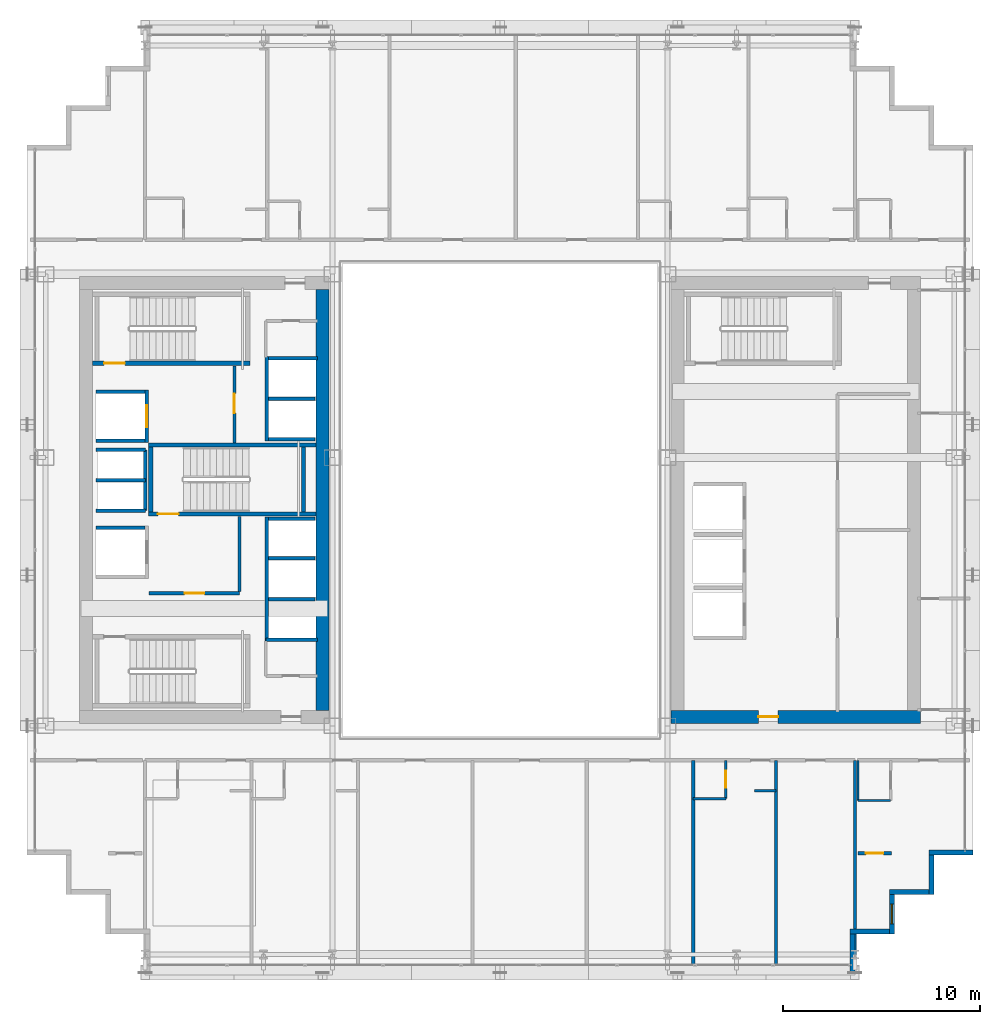
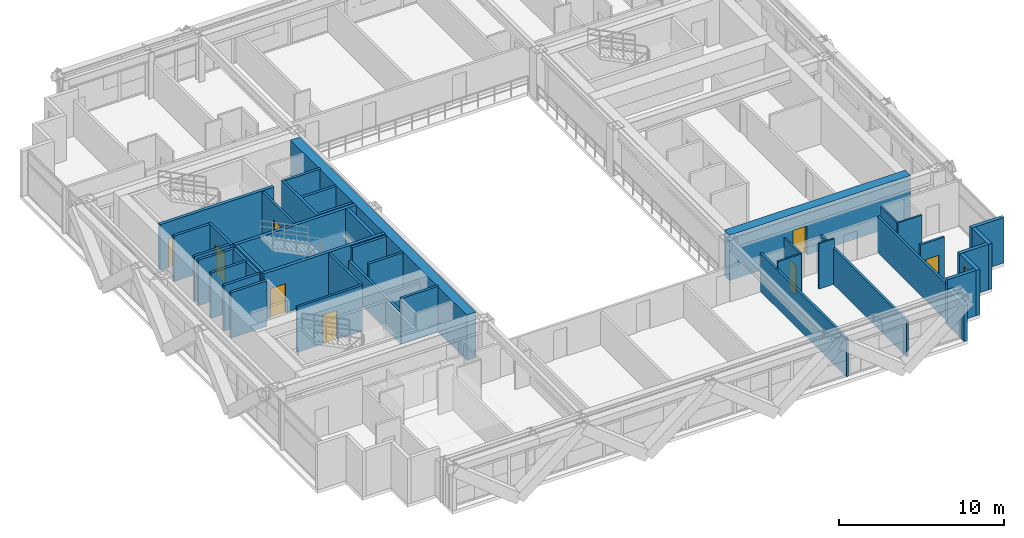
# One storey, part 28 of 35: 42 walls, 8 doors, 1 window, 9 openings.
"""IFC4 building model written with IfcOpenShell, lengths in metres."""

from ifc_helpers import new_model, si_unit, direction, frame, frame_2d, origin, place, context, subcontext, project, spatial, rectangle, extrude, source, transform, mapped, material, layer, layer_set, type_object, element, fill, save


model = new_model("IFC4")

# Units and contexts
model_context = context("Model", 3, precision=1e-05, world=origin(), true_north=direction((0.0, 1.0)))
body_context = subcontext(model_context, "Body", "Model", "MODEL_VIEW")
ifc_project = project(units=[si_unit("LENGTHUNIT", "METRE"), si_unit("AREAUNIT", "SQUARE_METRE"), si_unit("VOLUMEUNIT", "CUBIC_METRE"), si_unit("PLANEANGLEUNIT", "RADIAN"), si_unit("MASSUNIT", "GRAM", prefix="KILO")], contexts=[model_context])

# Site, building, storey
site_placement = place(None, origin())
site = spatial("IfcSite", under=ifc_project, at=site_placement, CompositionType="ELEMENT")
building_placement = place(site_placement, origin())
building = spatial("IfcBuilding", under=site, at=building_placement, Name="Ocotamira Hotel", CompositionType="ELEMENT")
storey_placement = place(building_placement, frame((0.0, 0.0, 122.39990234375)))
storey = spatial("IfcBuildingStorey", under=building, at=storey_placement, Name="L30", CompositionType="ELEMENT", Elevation=122.39990234375)

# Wall
ifc_material_1 = material(Name="Concrete C60/75", Category="concrete")
ifc_layer_1 = layer(ifc_material_1, 0.64990234375)
ifc_layer_set_1 = layer_set([ifc_layer_1], Name="Concrete C60/75")
wall_type_1 = type_object("IfcWallType", Name="WL-CORE-650", PredefinedType="SHEAR", material=ifc_layer_set_1)
wall_1_placement = place(storey_placement, frame((23.0, 15.324951171875, 0.0), z_axis=(0.0, 0.0, 1.0), x_axis=(0.0, 1.0, 0.0)))
element("IfcWall", 1, at=wall_1_placement, inside=storey, type_object=wall_type_1, Name="L30 Shear Core Wall WCORE-E", PredefinedType="SHEAR", context=body_context, shape_type="SweptSolid", body=[
    extrude(rectangle(XDim=21.35009765625, YDim=0.64990234375, at=frame_2d((10.675048828125, 0.0))), origin(), (0.0, 0.0, 1.0), 3.360107421875),
])

# Wall, opening, door
wall_2_placement = place(storey_placement, frame((40.675048828125, 15.0, 0.0), z_axis=(0.0, 0.0, 1.0), x_axis=(1.0, 0.0, 0.0)))
wall_2 = element("IfcWall", 2, at=wall_2_placement, inside=storey, type_object=wall_type_1, Name="L30 Shear Core Wall ECORE-S", PredefinedType="SHEAR", context=body_context, shape_type="SweptSolid", body=[
    extrude(rectangle(XDim=12.64990234375, YDim=0.64990234375, at=frame_2d((6.324951171875, 0.0))), origin(), (0.0, 0.0, 1.0), 3.360107421875),
])
opening_1_placement = place(wall_2_placement, frame((4.425048828125, 0.0, 0.0)))
opening_1 = element("IfcOpeningElement", 3, at=opening_1_placement, cuts=wall_2, Name="Opening D-FR2", PredefinedType="OPENING", context=body_context, shape_type="SweptSolid", body=[
    extrude(rectangle(XDim=1.0, YDim=2.14990234375, at=frame_2d((0.5, 1.074951171875))), frame((0.0, 0.3349609375, 0.0), z_axis=(0.0, -1.0, 0.0), x_axis=(1.0, 0.0, 0.0)), (0.0, 0.0, 1.0), 0.669921875),
])
ifc_material_2 = material(Name="Fire-rated acoustic timber-veneer door", Category="wood")
door_type_1 = type_object("IfcDoorType", Name="DR-FIRE-1000", OperationType="NOTDEFINED", PredefinedType="DOOR", material=ifc_material_2)
shared_shape_1 = source(origin(), body_context, "Body", "SweptSolid", [
    extrude(rectangle(XDim=1.0, YDim=2.14990234375, at=frame_2d((0.5, 1.074951171875))), frame((0.0, 0.02490234375, 0.0), z_axis=(0.0, -1.0, 0.0), x_axis=(1.0, 0.0, 0.0)), (0.0, 0.0, 1.0), 0.050048828125),
])
door_1_placement = place(opening_1_placement, origin())
door_1 = element("IfcDoor", 4, at=door_1_placement, inside=storey, type_object=door_type_1, Name="L30 Door ID-L30-ELOB-S-D [ID-L30-ELOB-S-D]", OperationType="SINGLE_SWING_RIGHT", OverallHeight=2.14990234375, OverallWidth=1.0, PredefinedType="DOOR", context=body_context, shape_type="MappedRepresentation", body=[
    mapped(shared_shape_1, transform((0.0, 0.0, 0.0), scale=1.0)),
])
fill(opening_1, door_1)

# Walls
ifc_material_3 = material(Name="Precast concrete C45/55", Category="concrete")
ifc_layer_2 = layer(ifc_material_3, 0.25)
ifc_layer_set_2 = layer_set([ifc_layer_2], Name="Precast concrete C45/55")
wall_type_2 = type_object("IfcWallType", Name="WL-EXT-SER-250", PredefinedType="SOLIDWALL", material=ifc_layer_set_2)
wall_3_placement = place(storey_placement, frame((49.875, 2.0, 0.0), z_axis=(0.0, 0.0, 1.0), x_axis=(0.0, 1.0, 0.0)))
element("IfcWall", 5, at=wall_3_placement, inside=storey, type_object=wall_type_2, Name="L30 Serrated Corner Wall 01", PredefinedType="SOLIDWALL", context=body_context, shape_type="SweptSolid", body=[
    extrude(rectangle(XDim=2.0, YDim=0.25, at=frame_2d((1.0, 0.0))), origin(), (0.0, 0.0, 1.0), 2.6669921875),
])
wall_4_placement = place(storey_placement, frame((49.75, 4.125, 0.0), z_axis=(0.0, 0.0, 1.0), x_axis=(1.0, 0.0, 0.0)))
element("IfcWall", 6, at=wall_4_placement, inside=storey, type_object=wall_type_2, Name="L30 Serrated Corner Wall 02", PredefinedType="SOLIDWALL", context=body_context, shape_type="SweptSolid", body=[
    extrude(rectangle(XDim=2.0, YDim=0.25, at=frame_2d((1.0, 0.0))), origin(), (0.0, 0.0, 1.0), 3.360107421875),
])

# Wall, opening, window
wall_5_placement = place(storey_placement, frame((51.875, 4.0, 0.0), z_axis=(0.0, 0.0, 1.0), x_axis=(0.0, 1.0, 0.0)))
wall_5 = element("IfcWall", 7, at=wall_5_placement, inside=storey, type_object=wall_type_2, Name="L30 Serrated Corner Wall 03", PredefinedType="SOLIDWALL", context=body_context, shape_type="SweptSolid", body=[
    extrude(rectangle(XDim=2.0, YDim=0.25, at=frame_2d((1.0, 0.0))), origin(), (0.0, 0.0, 1.0), 3.360107421875),
])
opening_2_placement = place(wall_5_placement, frame((0.5, 0.0, 0.85009765625)))
opening_2 = element("IfcOpeningElement", 8, at=opening_2_placement, cuts=wall_5, Name="Opening WN-2", PredefinedType="OPENING", context=body_context, shape_type="SweptSolid", body=[
    extrude(rectangle(XDim=1.0, YDim=1.89990234375, at=frame_2d((0.5, 0.949951171875))), frame((0.0, 0.135009765625, 0.0), z_axis=(0.0, -1.0, 0.0), x_axis=(1.0, 0.0, 0.0)), (0.0, 0.0, 1.0), 0.27001953125),
])
ifc_material_4 = material(Name="Double-silver low-E solar glass", Category="glass")
window_type = type_object("IfcWindowType", Name="WIN-SER-1100", PartitioningType="SINGLE_PANEL", PredefinedType="WINDOW", material=ifc_material_4)
shared_shape_2 = source(origin(), body_context, "Body", "SweptSolid", [
    extrude(rectangle(XDim=1.0, YDim=1.89990234375, at=frame_2d((0.5, 0.949951171875))), frame((0.0, 0.030029296875, 0.0), z_axis=(0.0, -1.0, 0.0), x_axis=(1.0, 0.0, 0.0)), (0.0, 0.0, 1.0), 0.06005859375),
])
window_placement = place(opening_2_placement, origin())
window = element("IfcWindow", 9, at=window_placement, inside=storey, type_object=window_type, Name="L30 Serrated Corner Window 03", OverallHeight=1.89990234375, OverallWidth=1.0, PartitioningType="SINGLE_PANEL", PredefinedType="WINDOW", context=body_context, shape_type="MappedRepresentation", body=[
    mapped(shared_shape_2, transform((0.0, 0.0, 0.0), scale=1.0)),
])
fill(opening_2, window)

# Walls
for number, where, z_axis, x_axis, name in (
    (10, (51.75, 6.125, 0.0), (0.0, 0.0, 1.0), (1.0, 0.0, 0.0), "L30 Serrated Corner Wall 04"),
    (11, (53.875, 6.0, 0.0), (0.0, 0.0, 1.0), (0.0, 1.0, 0.0), "L30 Serrated Corner Wall 05"),
):
    element("IfcWall", number, at=place(storey_placement, frame(where, z_axis=z_axis, x_axis=x_axis)), inside=storey, type_object=wall_type_2, Name=name, PredefinedType="SOLIDWALL", context=body_context, shape_type="SweptSolid", body=[
        extrude(rectangle(XDim=2.0, YDim=0.25, at=frame_2d((1.0, 0.0))), origin(), (0.0, 0.0, 1.0), 3.360107421875),
    ])
wall_6_placement = place(storey_placement, frame((53.75, 8.125, 0.0), z_axis=(0.0, 0.0, 1.0), x_axis=(1.0, 0.0, 0.0)))
element("IfcWall", 12, at=wall_6_placement, inside=storey, type_object=wall_type_2, Name="L30 Serrated Corner Wall 06", PredefinedType="SOLIDWALL", context=body_context, shape_type="SweptSolid", body=[
    extrude(rectangle(XDim=2.25, YDim=0.25, at=frame_2d((1.125, 0.0))), origin(), (0.0, 0.0, 1.0), 3.360107421875),
])

# Wall, opening, door
ifc_material_5 = material(Name="Acoustic double-layer fire gypsum board partition", Category="gypsum")
ifc_layer_3 = layer(ifc_material_5, 0.159912109375)
ifc_layer_set_3 = layer_set([ifc_layer_3], Name="Acoustic double-layer fire gypsum board partition")
wall_type_3 = type_object("IfcWallType", Name="WL-FIRE-160", PredefinedType="PARTITIONING", material=ifc_layer_set_3)
wall_7_placement = place(storey_placement, frame((14.199951171875, 21.27001953125, 0.0), z_axis=(0.0, 0.0, 1.0), x_axis=(1.0, 0.0, 0.0)))
wall_7 = element("IfcWall", 13, at=wall_7_placement, inside=storey, type_object=wall_type_3, Name="L30 Interior Wall PW-L30-FSAE1-S", PredefinedType="PARTITIONING", context=body_context, shape_type="SweptSolid", body=[
    extrude(rectangle(XDim=4.580078125, YDim=0.159912109375, at=frame_2d((2.2900390625, 0.0))), origin(), (0.0, 0.0, 1.0), 3.360107421875),
])
opening_3_placement = place(wall_7_placement, frame((1.800048828125, 0.0, 0.0)))
opening_3 = element("IfcOpeningElement", 14, at=opening_3_placement, cuts=wall_7, Name="Opening D-FR2", PredefinedType="OPENING", context=body_context, shape_type="SweptSolid", body=[
    extrude(rectangle(XDim=1.0, YDim=2.14990234375, at=frame_2d((0.5, 1.074951171875))), frame((0.0, 0.08984375, 0.0), z_axis=(0.0, -1.0, 0.0), x_axis=(1.0, 0.0, 0.0)), (0.0, 0.0, 1.0), 0.179931640625),
])
door_2_placement = place(opening_3_placement, origin())
door_2 = element("IfcDoor", 15, at=door_2_placement, inside=storey, type_object=door_type_1, Name="L30 Door ID-L30-FSAE1-D [ID-L30-FSAE1-D]", OperationType="SINGLE_SWING_LEFT", OverallHeight=2.14990234375, OverallWidth=1.0, PredefinedType="DOOR", context=body_context, shape_type="MappedRepresentation", body=[
    mapped(shared_shape_1, transform((0.0, 0.0, 0.0), scale=1.0)),
])
fill(opening_3, door_2)

# Wall
wall_8_placement = place(storey_placement, frame((18.780029296875, 21.35009765625, 0.0), z_axis=(0.0, 0.0, 1.0), x_axis=(0.0, 1.0, 0.0)))
element("IfcWall", 16, at=wall_8_placement, inside=storey, type_object=wall_type_3, Name="L30 Interior Wall PW-L30-FSAE1-E", PredefinedType="PARTITIONING", context=body_context, shape_type="SweptSolid", body=[
    extrude(rectangle(XDim=3.809814453125, YDim=0.159912109375, at=frame_2d((1.90478515625, 0.0))), origin(), (0.0, 0.0, 1.0), 3.360107421875),
])

# Wall, opening, door
wall_9_placement = place(storey_placement, frame((18.530029296875, 28.89990234375, 0.0), z_axis=(0.0, 0.0, 1.0), x_axis=(0.0, 1.0, 0.0)))
wall_9 = element("IfcWall", 17, at=wall_9_placement, inside=storey, type_object=wall_type_3, Name="L30 Interior Wall PW-L30-FSAE2-E", PredefinedType="PARTITIONING", context=body_context, shape_type="SweptSolid", body=[
    extrude(rectangle(XDim=3.900146484375, YDim=0.159912109375, at=frame_2d((1.9501953125, 0.0))), origin(), (0.0, 0.0, 1.0), 3.360107421875),
])
opening_4_placement = place(wall_9_placement, frame((1.5, 0.0, 0.0)))
opening_4 = element("IfcOpeningElement", 18, at=opening_4_placement, cuts=wall_9, Name="Opening D-FR2", PredefinedType="OPENING", context=body_context, shape_type="SweptSolid", body=[
    extrude(rectangle(XDim=1.0, YDim=2.14990234375, at=frame_2d((0.5, 1.074951171875))), frame((0.0, 0.08984375, 0.0), z_axis=(0.0, -1.0, 0.0), x_axis=(1.0, 0.0, 0.0)), (0.0, 0.0, 1.0), 0.179931640625),
])
door_3_placement = place(opening_4_placement, origin())
door_3 = element("IfcDoor", 19, at=door_3_placement, inside=storey, type_object=door_type_1, Name="L30 Door ID-L30-FSAE2-D [ID-L30-FSAE2-D]", OperationType="SINGLE_SWING_RIGHT", OverallHeight=2.14990234375, OverallWidth=1.0, PredefinedType="DOOR", context=body_context, shape_type="MappedRepresentation", body=[
    mapped(shared_shape_1, transform((0.0, 0.0, 0.0), scale=1.0)),
])
fill(opening_4, door_3)

wall_10_placement = place(storey_placement, frame((50.14990234375, 8.080078125, 0.0), z_axis=(0.0, 0.0, 1.0), x_axis=(1.0, 0.0, 0.0)))
wall_10 = element("IfcWall", 20, at=wall_10_placement, inside=storey, type_object=wall_type_3, Name="L30 Interior Wall PW-L30-Z2C-CSE2-CW", PredefinedType="PARTITIONING", context=body_context, shape_type="SweptSolid", body=[
    extrude(rectangle(XDim=1.7001953125, YDim=0.159912109375, at=frame_2d((0.85009765625, 0.0))), origin(), (0.0, 0.0, 1.0), 3.360107421875),
])
opening_5_placement = place(wall_10_placement, frame((0.409912109375, 0.0, 0.0)))
opening_5 = element("IfcOpeningElement", 21, at=opening_5_placement, cuts=wall_10, Name="Opening D-SV2", PredefinedType="OPENING", context=body_context, shape_type="SweptSolid", body=[
    extrude(rectangle(XDim=0.8798828125, YDim=2.14990234375, at=frame_2d((0.43994140625, 1.074951171875))), frame((0.0, 0.08984375, 0.0), z_axis=(0.0, -1.0, 0.0), x_axis=(1.0, 0.0, 0.0)), (0.0, 0.0, 1.0), 0.179931640625),
])
ifc_material_6 = material(Name="Fire-rated painted steel service door", Category="steel")
door_type_2 = type_object("IfcDoorType", Name="DR-SERV-880", OperationType="NOTDEFINED", PredefinedType="DOOR", material=ifc_material_6)
shared_shape_3 = source(origin(), body_context, "Body", "SweptSolid", [
    extrude(rectangle(XDim=0.8798828125, YDim=2.14990234375, at=frame_2d((0.43994140625, 1.074951171875))), frame((0.0, 0.02490234375, 0.0), z_axis=(0.0, -1.0, 0.0), x_axis=(1.0, 0.0, 0.0)), (0.0, 0.0, 1.0), 0.050048828125),
])
door_4_placement = place(opening_5_placement, origin())
door_4 = element("IfcDoor", 22, at=door_4_placement, inside=storey, type_object=door_type_2, Name="L30 Door ID-L30-Z2C-CSE2-CD [ID-L30-Z2C-CSE2-CD]", OperationType="SINGLE_SWING_LEFT", OverallHeight=2.14990234375, OverallWidth=0.8798828125, PredefinedType="DOOR", context=body_context, shape_type="MappedRepresentation", body=[
    mapped(shared_shape_3, transform((0.0, 0.0, 0.0), scale=1.0)),
])
fill(opening_5, door_4)

# Walls
ifc_material_7 = material(Name="Moisture-resistant en-suite tile and gypsum partition", Category="gypsum")
ifc_layer_4 = layer(ifc_material_7, 0.1201171875)
ifc_layer_set_4 = layer_set([ifc_layer_4], Name="Moisture-resistant en-suite tile and gypsum partition")
wall_type_4 = type_object("IfcWallType", Name="WL-PART-120", PredefinedType="PARTITIONING", material=ifc_layer_set_4)
wall_11_placement = place(storey_placement, frame((50.159912109375, 10.760009765625, 0.0), z_axis=(0.0, 0.0, 1.0), x_axis=(0.0, 1.0, 0.0)))
element("IfcWall", 23, at=wall_11_placement, inside=storey, type_object=wall_type_4, Name="L30 Interior Wall PW-L30-Z2C-CSE-BW", PredefinedType="PARTITIONING", context=body_context, shape_type="SweptSolid", body=[
    extrude(rectangle(XDim=2.0400390625, YDim=0.1201171875, at=frame_2d((1.02001953125, 0.0))), origin(), (0.0, 0.0, 1.0), 3.360107421875),
])
wall_12_placement = place(storey_placement, frame((50.159912109375, 10.760009765625, 0.0), z_axis=(0.0, 0.0, 1.0), x_axis=(1.0, 0.0, 0.0)))
element("IfcWall", 24, at=wall_12_placement, inside=storey, type_object=wall_type_4, Name="L30 Interior Wall PW-L30-Z2C-CSE-BH", PredefinedType="PARTITIONING", context=body_context, shape_type="SweptSolid", body=[
    extrude(rectangle(XDim=1.650146484375, YDim=0.1201171875, at=frame_2d((0.8251953125, 0.0))), origin(), (0.0, 0.0, 1.0), 3.360107421875),
])

# Wall, opening, door
wall_13_placement = place(storey_placement, frame((43.449951171875, 10.85009765625, 0.0), z_axis=(0.0, 0.0, 1.0), x_axis=(0.0, 1.0, 0.0)))
wall_13 = element("IfcWall", 25, at=wall_13_placement, inside=storey, type_object=wall_type_4, Name="L30 Interior Wall PW-L30-Z2CS-BAE6", PredefinedType="PARTITIONING", context=body_context, shape_type="SweptSolid", body=[
    extrude(rectangle(XDim=1.949951171875, YDim=0.1201171875, at=frame_2d((0.97509765625, 0.0))), origin(), (0.0, 0.0, 1.0), 3.360107421875),
])
opening_6_placement = place(wall_13_placement, frame((0.544921875, 0.0, 0.0)))
opening_6 = element("IfcOpeningElement", 26, at=opening_6_placement, cuts=wall_13, Name="Opening D-BA1", PredefinedType="OPENING", context=body_context, shape_type="SweptSolid", body=[
    extrude(rectangle(XDim=0.860107421875, YDim=2.10009765625, at=frame_2d((0.43017578125, 1.050048828125))), frame((0.0, 0.070068359375, 0.0), z_axis=(0.0, -1.0, 0.0), x_axis=(1.0, 0.0, 0.0)), (0.0, 0.0, 1.0), 0.14013671875),
])
ifc_material_8 = material(Name="Moisture-sealed en-suite timber door", Category="wood")
door_type_3 = type_object("IfcDoorType", Name="DR-BATH-860", OperationType="NOTDEFINED", PredefinedType="DOOR", material=ifc_material_8)
shared_shape_4 = source(origin(), body_context, "Body", "SweptSolid", [
    extrude(rectangle(XDim=0.860107421875, YDim=2.10009765625, at=frame_2d((0.43017578125, 1.050048828125))), frame((0.0, 0.02490234375, 0.0), z_axis=(0.0, -1.0, 0.0), x_axis=(1.0, 0.0, 0.0)), (0.0, 0.0, 1.0), 0.050048828125),
])
door_5_placement = place(opening_6_placement, origin())
door_5 = element("IfcDoor", 27, at=door_5_placement, inside=storey, type_object=door_type_3, Name="L30 Door ID-L30-Z2CS-BAD6 [ID-L30-Z2CS-BAD6]", OperationType="SINGLE_SWING_LEFT", OverallHeight=2.10009765625, OverallWidth=0.860107421875, PredefinedType="DOOR", context=body_context, shape_type="MappedRepresentation", body=[
    mapped(shared_shape_4, transform((0.0, 0.0, 0.0), scale=1.0)),
])
fill(opening_6, door_5)

# Walls
wall_14_placement = place(storey_placement, frame((41.800048828125, 10.85009765625, 0.0), z_axis=(0.0, 0.0, 1.0), x_axis=(1.0, 0.0, 0.0)))
element("IfcWall", 28, at=wall_14_placement, inside=storey, type_object=wall_type_4, Name="L30 Interior Wall PW-L30-Z2CS-BAS6", PredefinedType="PARTITIONING", context=body_context, shape_type="SweptSolid", body=[
    extrude(rectangle(XDim=1.64990234375, YDim=0.1201171875, at=frame_2d((0.824951171875, 0.0))), origin(), (0.0, 0.0, 1.0), 3.360107421875),
])
wall_15_placement = place(storey_placement, frame((44.89990234375, 11.25, 0.0), z_axis=(0.0, 0.0, 1.0), x_axis=(1.0, 0.0, 0.0)))
element("IfcWall", 29, at=wall_15_placement, inside=storey, type_object=wall_type_4, Name="L30 Interior Wall PW-L30-Z2CS-DRN6", PredefinedType="PARTITIONING", context=body_context, shape_type="SweptSolid", body=[
    extrude(rectangle(XDim=1.10009765625, YDim=0.1201171875, at=frame_2d((0.550048828125, 0.0))), origin(), (0.0, 0.0, 1.0), 3.360107421875),
])
ifc_material_9 = material(Name="Acoustic double-stud hospitality gypsum partition", Category="gypsum")
ifc_layer_5 = layer(ifc_material_9, 0.159912109375)
ifc_layer_set_5 = layer_set([ifc_layer_5], Name="Acoustic double-stud hospitality gypsum partition")
wall_type_5 = type_object("IfcWallType", Name="WL-PART-160", PredefinedType="PARTITIONING", material=ifc_layer_set_5)
wall_16_placement = place(storey_placement, frame((50.0, 2.360107421875, 0.0), z_axis=(0.0, 0.0, 1.0), x_axis=(0.0, 1.0, 0.0)))
element("IfcWall", 30, at=wall_16_placement, inside=storey, type_object=wall_type_5, Name="L30 Interior Wall PW-L30-Z2CS-PWEND", PredefinedType="PARTITIONING", context=body_context, shape_type="SweptSolid", body=[
    extrude(rectangle(XDim=10.43994140625, YDim=0.159912109375, at=frame_2d((5.219970703125, 0.0))), origin(), (0.0, 0.0, 1.0), 2.6669921875),
])
wall_17_placement = place(storey_placement, frame((41.800048828125, 2.360107421875, 0.0), z_axis=(0.0, 0.0, 1.0), x_axis=(0.0, 1.0, 0.0)))
element("IfcWall", 31, at=wall_17_placement, inside=storey, type_object=wall_type_5, Name="L30 Interior Wall PW-L30-Z2CS-PW5", PredefinedType="PARTITIONING", context=body_context, shape_type="SweptSolid", body=[
    extrude(rectangle(XDim=10.43994140625, YDim=0.159912109375, at=frame_2d((5.219970703125, 0.0))), origin(), (0.0, 0.0, 1.0), 2.822998046875),
])
wall_18_placement = place(storey_placement, frame((46.0, 2.360107421875, 0.0), z_axis=(0.0, 0.0, 1.0), x_axis=(0.0, 1.0, 0.0)))
element("IfcWall", 32, at=wall_18_placement, inside=storey, type_object=wall_type_5, Name="L30 Interior Wall PW-L30-Z2CS-PW6", PredefinedType="PARTITIONING", context=body_context, shape_type="SweptSolid", body=[
    extrude(rectangle(XDim=10.43994140625, YDim=0.159912109375, at=frame_2d((5.219970703125, 0.0))), origin(), (0.0, 0.0, 1.0), 2.6669921875),
])
ifc_material_10 = material(Name="Fire-rated gypsum shaftliner board assembly", Category="gypsum")
ifc_layer_6 = layer(ifc_material_10, 0.179931640625)
ifc_layer_set_6 = layer_set([ifc_layer_6], Name="Fire-rated gypsum shaftliner board assembly")
wall_type_6 = type_object("IfcWallType", Name="WL-SHAFT-180", PredefinedType="SOLIDWALL", material=ifc_layer_set_6)
wall_19_placement = place(storey_placement, frame((20.159912109375, 18.820068359375, 0.0), z_axis=(0.0, 0.0, 1.0), x_axis=(0.0, 1.0, 0.0)))
element("IfcWall", 33, at=wall_19_placement, inside=storey, type_object=wall_type_6, Name="L30 Interior Wall PW-L30-LFW-BANK-high-F", PredefinedType="SOLIDWALL", context=body_context, shape_type="SweptSolid", body=[
    extrude(rectangle(XDim=6.31982421875, YDim=0.179931640625, at=frame_2d((3.159912109375, 0.0))), origin(), (0.0, 0.0, 1.0), 2.360107421875),
])
wall_20_placement = place(storey_placement, frame((20.1201171875, 18.909912109375, 0.0), z_axis=(0.0, 0.0, 1.0), x_axis=(1.0, 0.0, 0.0)))
element("IfcWall", 34, at=wall_20_placement, inside=storey, type_object=wall_type_6, Name="L30 Interior Wall PW-L30-LFW-BANK-high-S", PredefinedType="SOLIDWALL", context=body_context, shape_type="SweptSolid", body=[
    extrude(rectangle(XDim=2.6298828125, YDim=0.179931640625, at=frame_2d((1.31494140625, 0.0))), origin(), (0.0, 0.0, 1.0), 3.360107421875),
])
wall_21_placement = place(storey_placement, frame((20.25, 25.050048828125, 0.0), z_axis=(0.0, 0.0, 1.0), x_axis=(1.0, 0.0, 0.0)))
element("IfcWall", 35, at=wall_21_placement, inside=storey, type_object=wall_type_6, Name="L30 Interior Wall PW-L30-LFW-BANK-high-N", PredefinedType="SOLIDWALL", context=body_context, shape_type="SweptSolid", body=[
    extrude(rectangle(XDim=2.360107421875, YDim=0.179931640625, at=frame_2d((1.18017578125, 0.0))), origin(), (0.0, 0.0, 1.0), 3.360107421875),
])
wall_22_placement = place(storey_placement, frame((20.25, 20.965087890625, 0.0), z_axis=(0.0, 0.0, 1.0), x_axis=(1.0, 0.0, 0.0)))
element("IfcWall", 36, at=wall_22_placement, inside=storey, type_object=wall_type_6, Name="L30 Interior Wall PW-L30-LFW-DIV-LF-P7", PredefinedType="SOLIDWALL", context=body_context, shape_type="SweptSolid", body=[
    extrude(rectangle(XDim=2.360107421875, YDim=0.179931640625, at=frame_2d((1.18017578125, 0.0))), origin(), (0.0, 0.0, 1.0), 2.360107421875),
])
wall_23_placement = place(storey_placement, frame((20.25, 23.044921875, 0.0), z_axis=(0.0, 0.0, 1.0), x_axis=(1.0, 0.0, 0.0)))
element("IfcWall", 37, at=wall_23_placement, inside=storey, type_object=wall_type_6, Name="L30 Interior Wall PW-L30-LFW-DIV-LF-P8", PredefinedType="SOLIDWALL", context=body_context, shape_type="SweptSolid", body=[
    extrude(rectangle(XDim=2.360107421875, YDim=0.179931640625, at=frame_2d((1.18017578125, 0.0))), origin(), (0.0, 0.0, 1.0), 3.360107421875),
])
wall_24_placement = place(storey_placement, frame((20.159912109375, 29.0, 0.0), z_axis=(0.0, 0.0, 1.0), x_axis=(0.0, 1.0, 0.0)))
element("IfcWall", 38, at=wall_24_placement, inside=storey, type_object=wall_type_6, Name="L30 Interior Wall PW-L30-LFW-BANK-obs-F", PredefinedType="SOLIDWALL", context=body_context, shape_type="SweptSolid", body=[
    extrude(rectangle(XDim=4.2900390625, YDim=0.179931640625, at=frame_2d((2.14501953125, 0.0))), origin(), (0.0, 0.0, 1.0), 3.360107421875),
])
wall_25_placement = place(storey_placement, frame((20.25, 29.090087890625, 0.0), z_axis=(0.0, 0.0, 1.0), x_axis=(1.0, 0.0, 0.0)))
element("IfcWall", 39, at=wall_25_placement, inside=storey, type_object=wall_type_6, Name="L30 Interior Wall PW-L30-LFW-BANK-obs-S", PredefinedType="SOLIDWALL", context=body_context, shape_type="SweptSolid", body=[
    extrude(rectangle(XDim=2.360107421875, YDim=0.179931640625, at=frame_2d((1.18017578125, 0.0))), origin(), (0.0, 0.0, 1.0), 3.360107421875),
])
wall_26_placement = place(storey_placement, frame((20.25, 33.199951171875, 0.0), z_axis=(0.0, 0.0, 1.0), x_axis=(1.0, 0.0, 0.0)))
element("IfcWall", 40, at=wall_26_placement, inside=storey, type_object=wall_type_6, Name="L30 Interior Wall PW-L30-LFW-BANK-obs-N", PredefinedType="SOLIDWALL", context=body_context, shape_type="SweptSolid", body=[
    extrude(rectangle(XDim=2.5, YDim=0.179931640625, at=frame_2d((1.25, 0.0))), origin(), (0.0, 0.0, 1.0), 3.360107421875),
])
wall_27_placement = place(storey_placement, frame((20.25, 31.14501953125, 0.0), z_axis=(0.0, 0.0, 1.0), x_axis=(1.0, 0.0, 0.0)))
element("IfcWall", 41, at=wall_27_placement, inside=storey, type_object=wall_type_6, Name="L30 Interior Wall PW-L30-LFW-DIV-LF-OBS1", PredefinedType="SOLIDWALL", context=body_context, shape_type="SweptSolid", body=[
    extrude(rectangle(XDim=2.360107421875, YDim=0.179931640625, at=frame_2d((1.18017578125, 0.0))), origin(), (0.0, 0.0, 1.0), 3.360107421875),
])
for number, where, z_axis, x_axis, name in (
    (42, (11.5, 24.590087890625, 0.0), (0.0, 0.0, 1.0), (1.0, 0.0, 0.0), "L30 Interior Wall PW-L30-LFW-LF-FSAE1-N"),
    (43, (11.5, 29.010009765625, 0.0), (0.0, 0.0, 1.0), (1.0, 0.0, 0.0), "L30 Interior Wall PW-L30-LFW-LF-FSAE2-S"),
    (44, (11.5, 31.489990234375, 0.0), (0.0, 0.0, 1.0), (1.0, 0.0, 0.0), "L30 Interior Wall PW-L30-LFW-LF-FSAE2-N"),
):
    element("IfcWall", number, at=place(storey_placement, frame(where, z_axis=z_axis, x_axis=x_axis)), inside=storey, type_object=wall_type_6, Name=name, PredefinedType="SOLIDWALL", context=body_context, shape_type="SweptSolid", body=[
        extrude(rectangle(XDim=2.5, YDim=0.179931640625, at=frame_2d((1.25, 0.0))), origin(), (0.0, 0.0, 1.0), 3.360107421875),
    ])

# Wall, opening, door
wall_28_placement = place(storey_placement, frame((14.090087890625, 28.919921875, 0.0), z_axis=(0.0, 0.0, 1.0), x_axis=(0.0, 1.0, 0.0)))
wall_28 = element("IfcWall", 45, at=wall_28_placement, inside=storey, type_object=wall_type_6, Name="L30 Interior Wall PW-L30-LFW-LF-FSAE2-E", PredefinedType="SOLIDWALL", context=body_context, shape_type="SweptSolid", body=[
    extrude(rectangle(XDim=2.66015625, YDim=0.179931640625, at=frame_2d((1.330078125, 0.0))), origin(), (0.0, 0.0, 1.0), 3.360107421875),
])
opening_7_placement = place(wall_28_placement, frame((0.780029296875, 0.0, 0.0)))
opening_7 = element("IfcOpeningElement", 46, at=opening_7_placement, cuts=wall_28, Name="Opening LD-LF-FSAE2", PredefinedType="OPENING", context=body_context, shape_type="SweptSolid", body=[
    extrude(rectangle(XDim=1.10009765625, YDim=2.199951171875, at=frame_2d((0.550048828125, 1.10009765625))), frame((0.0, 0.10009765625, 0.0), z_axis=(0.0, -1.0, 0.0), x_axis=(1.0, 0.0, 0.0)), (0.0, 0.0, 1.0), 0.199951171875),
])
ifc_material_11 = material(Name="Brushed pale-metal stainless elevator landing door", Category="steel")
door_type_4 = type_object("IfcDoorType", Name="DR-LIFT-1100", OperationType="NOTDEFINED", PredefinedType="DOOR", material=ifc_material_11)
shared_shape_5 = source(origin(), body_context, "Body", "SweptSolid", [
    extrude(rectangle(XDim=1.10009765625, YDim=2.199951171875, at=frame_2d((0.550048828125, 1.10009765625))), frame((0.0, 0.02490234375, 0.0), z_axis=(0.0, -1.0, 0.0), x_axis=(1.0, 0.0, 0.0)), (0.0, 0.0, 1.0), 0.050048828125),
])
door_6_placement = place(opening_7_placement, origin())
door_6 = element("IfcDoor", 47, at=door_6_placement, inside=storey, type_object=door_type_4, Name="L30 Landing Door LD-LF-FSAE2 [ID-L30-LD-LF-FSAE2]", OperationType="DOUBLE_DOOR_SLIDING", OverallHeight=2.199951171875, OverallWidth=1.10009765625, PredefinedType="DOOR", context=body_context, shape_type="MappedRepresentation", body=[
    mapped(shared_shape_5, transform((0.0, 0.0, 0.0), scale=1.0)),
])
fill(opening_7, door_6)

# Walls
for number, where, z_axis, x_axis, name in (
    (48, (11.5, 25.4599609375, 0.0), (0.0, 0.0, 1.0), (1.0, 0.0, 0.0), "L30 Interior Wall PW-L30-RSW-S"),
    (49, (11.5, 27.0, 0.0), (0.0, 0.0, 1.0), (1.0, 0.0, 0.0), "L30 Interior Wall PW-L30-RSW-MID"),
    (50, (11.5, 28.5400390625, 0.0), (0.0, 0.0, 1.0), (1.0, 0.0, 0.0), "L30 Interior Wall PW-L30-RSW-N"),
):
    element("IfcWall", number, at=place(storey_placement, frame(where, z_axis=z_axis, x_axis=x_axis)), inside=storey, type_object=wall_type_6, Name=name, PredefinedType="SOLIDWALL", context=body_context, shape_type="SweptSolid", body=[
        extrude(rectangle(XDim=2.510009765625, YDim=0.179931640625, at=frame_2d((1.2548828125, 0.0))), origin(), (0.0, 0.0, 1.0), 3.360107421875),
    ])
wall_29_placement = place(storey_placement, frame((14.010009765625, 25.4599609375, 0.0), z_axis=(0.0, 0.0, 1.0), x_axis=(0.0, 1.0, 0.0)))
element("IfcWall", 51, at=wall_29_placement, inside=storey, type_object=wall_type_6, Name="L30 Interior Wall PW-L30-RSW-E", PredefinedType="SOLIDWALL", context=body_context, shape_type="SweptSolid", body=[
    extrude(rectangle(XDim=3.080078125, YDim=0.179931640625, at=frame_2d((1.5400390625, 0.0))), origin(), (0.0, 0.0, 1.0), 3.360107421875),
])

# Wall, opening, door
ifc_material_12 = material(Name="Concrete C50/60", Category="concrete")
ifc_layer_7 = layer(ifc_material_12, 0.219970703125)
ifc_layer_set_7 = layer_set([ifc_layer_7], Name="Concrete C50/60")
wall_type_7 = type_object("IfcWallType", Name="WL-STAIR-220", PredefinedType="SHEAR", material=ifc_layer_set_7)
wall_30_placement = place(storey_placement, frame((11.324951171875, 32.93994140625, 0.0), z_axis=(0.0, 0.0, 1.0), x_axis=(1.0, 0.0, 0.0)))
wall_30 = element("IfcWall", 52, at=wall_30_placement, inside=storey, type_object=wall_type_7, Name="L30 Stair Shaft Structural Wall ST-2-S", PredefinedType="SHEAR", context=body_context, shape_type="SweptSolid", body=[
    extrude(rectangle(XDim=7.985107421875, YDim=0.219970703125, at=frame_2d((3.99267578125, 0.0))), origin(), (0.0, 0.0, 1.0), 3.400146484375),
])
opening_8_placement = place(wall_30_placement, frame((0.594970703125, 0.0, 0.0)))
opening_8 = element("IfcOpeningElement", 53, at=opening_8_placement, cuts=wall_30, Name="Opening D-ST2", PredefinedType="OPENING", context=body_context, shape_type="SweptSolid", body=[
    extrude(rectangle(XDim=1.050048828125, YDim=2.14990234375, at=frame_2d((0.52490234375, 1.074951171875))), frame((0.0, 0.1201171875, 0.0), z_axis=(0.0, -1.0, 0.0), x_axis=(1.0, 0.0, 0.0)), (0.0, 0.0, 1.0), 0.239990234375),
])
ifc_material_13 = material(Name="Insulated painted hollow-metal fire exit door", Category="steel")
door_type_5 = type_object("IfcDoorType", Name="DR-STAIR-1050", OperationType="NOTDEFINED", PredefinedType="DOOR", material=ifc_material_13)
shared_shape_6 = source(origin(), body_context, "Body", "SweptSolid", [
    extrude(rectangle(XDim=1.050048828125, YDim=2.14990234375, at=frame_2d((0.52490234375, 1.074951171875))), frame((0.0, 0.02490234375, 0.0), z_axis=(0.0, -1.0, 0.0), x_axis=(1.0, 0.0, 0.0)), (0.0, 0.0, 1.0), 0.050048828125),
])
door_7_placement = place(opening_8_placement, origin())
door_7 = element("IfcDoor", 54, at=door_7_placement, inside=storey, type_object=door_type_5, Name="L30 Door ID-L30-STD-ST-2 [ID-L30-STD-ST-2]", OperationType="SINGLE_SWING_RIGHT", OverallHeight=2.14990234375, OverallWidth=1.050048828125, PredefinedType="DOOR", context=body_context, shape_type="MappedRepresentation", body=[
    mapped(shared_shape_6, transform((0.0, 0.0, 0.0), scale=1.0)),
])
fill(opening_8, door_7)

wall_31_placement = place(storey_placement, frame((14.179931640625, 25.2900390625, 0.0), z_axis=(0.0, 0.0, 1.0), x_axis=(1.0, 0.0, 0.0)))
wall_31 = element("IfcWall", 55, at=wall_31_placement, inside=storey, type_object=wall_type_7, Name="L30 Stair Shaft Structural Wall ST-3-S", PredefinedType="SHEAR", context=body_context, shape_type="SweptSolid", body=[
    extrude(rectangle(XDim=8.4951171875, YDim=0.219970703125, at=frame_2d((4.24755859375, 0.0))), origin(), (0.0, 0.0, 1.0), 3.400146484375),
])
opening_9_placement = place(wall_31_placement, frame((0.469970703125, 0.0, 0.0)))
opening_9 = element("IfcOpeningElement", 56, at=opening_9_placement, cuts=wall_31, Name="Opening D-ST2", PredefinedType="OPENING", context=body_context, shape_type="SweptSolid", body=[
    extrude(rectangle(XDim=1.050048828125, YDim=2.14990234375, at=frame_2d((0.52490234375, 1.074951171875))), frame((0.0, 0.1201171875, 0.0), z_axis=(0.0, -1.0, 0.0), x_axis=(1.0, 0.0, 0.0)), (0.0, 0.0, 1.0), 0.239990234375),
])
door_8_placement = place(opening_9_placement, origin())
door_8 = element("IfcDoor", 57, at=door_8_placement, inside=storey, type_object=door_type_5, Name="L30 Door ID-L30-STD-ST-3 [ID-L30-STD-ST-3]", OperationType="SINGLE_SWING_LEFT", OverallHeight=2.14990234375, OverallWidth=1.050048828125, PredefinedType="DOOR", context=body_context, shape_type="MappedRepresentation", body=[
    mapped(shared_shape_6, transform((0.0, 0.0, 0.0), scale=1.0)),
])
fill(opening_9, door_8)

# Walls
wall_32_placement = place(storey_placement, frame((14.179931640625, 28.7900390625, 0.0), z_axis=(0.0, 0.0, 1.0), x_axis=(1.0, 0.0, 0.0)))
element("IfcWall", 58, at=wall_32_placement, inside=storey, type_object=wall_type_7, Name="L30 Stair Shaft Structural Wall ST-3-N", PredefinedType="SHEAR", context=body_context, shape_type="SweptSolid", body=[
    extrude(rectangle(XDim=8.4951171875, YDim=0.219970703125, at=frame_2d((4.24755859375, 0.0))), origin(), (0.0, 0.0, 1.0), 3.400146484375),
])
for number, where, z_axis, x_axis, name in (
    (59, (14.2900390625, 25.39990234375, 0.0), (0.0, 0.0, 1.0), (0.0, 1.0, 0.0), "L30 Stair Shaft Structural Wall ST-3-W"),
    (60, (22.030029296875, 25.39990234375, 0.0), (0.0, 0.0, 1.0), (0.0, 1.0, 0.0), "L30 Stair Shaft Structural Wall ST-3-E"),
):
    element("IfcWall", number, at=place(storey_placement, frame(where, z_axis=z_axis, x_axis=x_axis)), inside=storey, type_object=wall_type_7, Name=name, PredefinedType="SHEAR", context=body_context, shape_type="SweptSolid", body=[
        extrude(rectangle(XDim=3.280029296875, YDim=0.219970703125, at=frame_2d((1.64013671875, 0.0))), origin(), (0.0, 0.0, 1.0), 3.400146484375),
    ])

save(model, "model.ifc")
